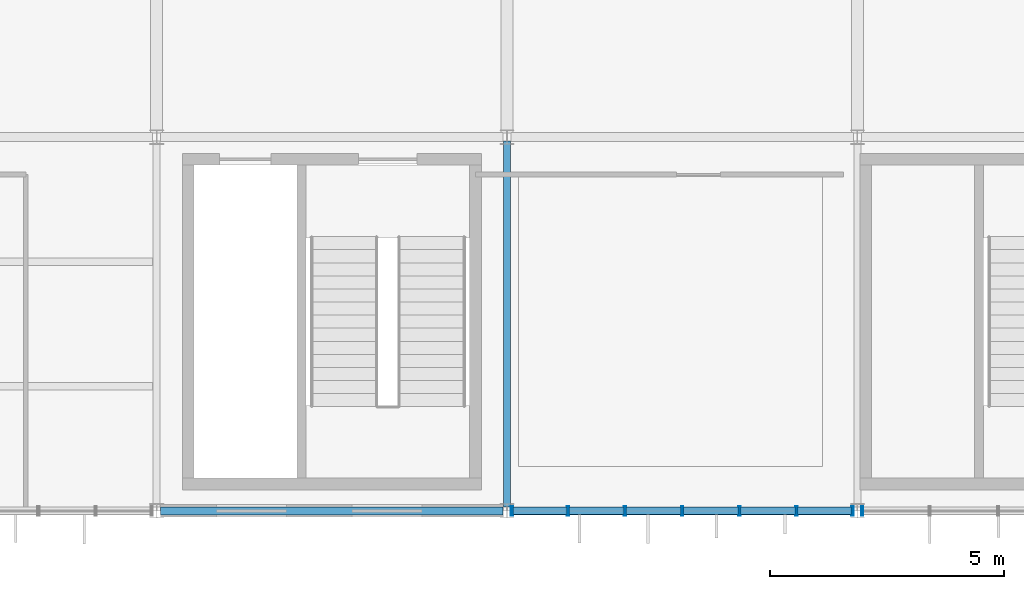
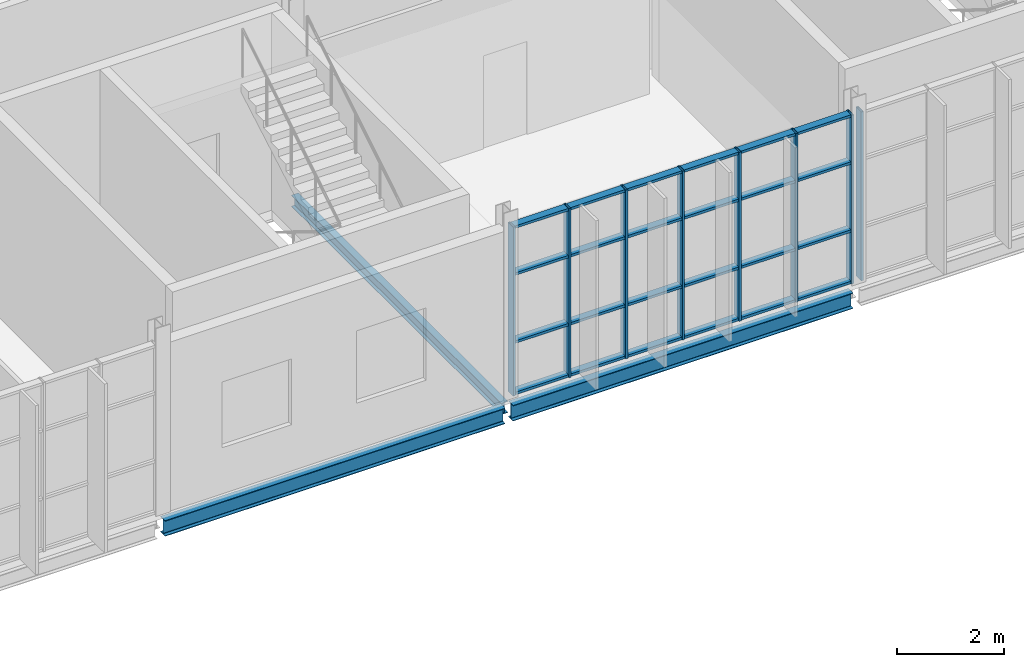
# One storey, part 57 of 324: 32 members, 3 beams, 2 elements without a shape of their own.
"""IFC4 building model written with IfcOpenShell, lengths in metres."""

import ifcopenshell
import ifcopenshell.guid

model = None  # the IFC model being written
_history = None  # IfcOwnerHistory: only IFC2X3 demands one
_inside = {}  # id of a spatial element -> (the spatial element, [elements in it])
_under = {}  # id of a project, library or spatial element -> (it, [spatial elements below it])
_declared = {}  # id of a project -> (the project, [libraries it declares])
_typed = {}  # id of a type object -> (the type object, [elements of that type])
_made_of = {}  # id of a material, layer set ... -> (it, [elements and type objects made of it])


def new_model(schema):
    """Start an empty IFC model of exactly this schema.

    Asked for "IFC4X3", IfcOpenShell would pick the latest addendum, in which some entities
    have other attributes; the version numbers below select the first issue.
    IFC2X3 requires an IfcOwnerHistory on every rooted entity: one is made here for all.
    """
    global model, _history
    if schema == "IFC4X3":
        model = ifcopenshell.file(schema_version=(4, 3, 0, 0))
    else:
        model = ifcopenshell.file(schema=schema)
    _inside.clear()
    _under.clear()
    _declared.clear()
    _typed.clear()
    _made_of.clear()
    _history = None
    if model.schema == "IFC2X3":
        org = make("IfcOrganization", Name="unknown")
        user = make(
            "IfcPersonAndOrganization",
            ThePerson=make("IfcPerson", FamilyName="unknown"),
            TheOrganization=org,
        )
        app = make(
            "IfcApplication",
            ApplicationDeveloper=org,
            Version="unknown",
            ApplicationFullName="unknown",
            ApplicationIdentifier="unknown",
        )
        _history = make(
            "IfcOwnerHistory",
            OwningUser=user,
            OwningApplication=app,
            ChangeAction="ADDED",
            CreationDate=0,
        )
    return model


def make(cls, **values):
    """One entity of the class cls with the attributes given. An attribute that is None is left unset."""
    return model.create_entity(
        cls, **{name: value for name, value in values.items() if value is not None}
    )


def rooted(cls, **values):
    """An entity with a GlobalId (a new one), such as an element, a storey or a relation."""
    return make(cls, GlobalId=ifcopenshell.guid.new(), OwnerHistory=_history, **values)


def si_unit(unit_type, name, prefix=None):
    """IfcSIUnit, for example si_unit("LENGTHUNIT", "METRE", prefix="MILLI")."""
    return make("IfcSIUnit", UnitType=unit_type, Prefix=prefix, Name=name)


def assignment(units):
    """IfcUnitAssignment: the units of a project."""
    return None if units is None else make("IfcUnitAssignment", Units=units)


def point(xyz):
    """IfcCartesianPoint."""
    return None if xyz is None else make("IfcCartesianPoint", Coordinates=xyz)


def direction(xyz):
    """IfcDirection."""
    return None if xyz is None else make("IfcDirection", DirectionRatios=xyz)


def frame(location, z_axis=None, x_axis=None):
    """IfcAxis2Placement3D, a coordinate frame: its origin and axes. An axis left out is left unset."""
    return make(
        "IfcAxis2Placement3D",
        Location=point(location),
        Axis=direction(z_axis),
        RefDirection=direction(x_axis),
    )


def frame_2d(location, x_axis=None):
    """IfcAxis2Placement2D, a coordinate frame in the plane: its origin and x axis."""
    return make(
        "IfcAxis2Placement2D", Location=point(location), RefDirection=direction(x_axis)
    )


def origin():
    """The frame at (0, 0, 0) with its axes left unset."""
    return frame((0.0, 0.0, 0.0))


def origin_2d():
    """The frame at (0, 0) in the plane with its x axis left unset."""
    return frame_2d((0.0, 0.0))


def place(relative_to, where):
    """IfcLocalPlacement: puts the frame where relative to a parent placement (None: the world)."""
    return make(
        "IfcLocalPlacement", PlacementRelTo=relative_to, RelativePlacement=where
    )


def context(
    kind, dimensions, precision=None, world=None, true_north=None, identifier=None
):
    """IfcGeometricRepresentationContext, for example the 3D "Model" context."""
    return make(
        "IfcGeometricRepresentationContext",
        ContextIdentifier=identifier,
        ContextType=kind,
        CoordinateSpaceDimension=dimensions,
        Precision=precision,
        WorldCoordinateSystem=world,
        TrueNorth=true_north,
    )


def subcontext(parent, identifier, kind, view, scale=None):
    """IfcGeometricRepresentationSubContext, for example "Body" below "Model"."""
    return make(
        "IfcGeometricRepresentationSubContext",
        ContextIdentifier=identifier,
        ContextType=kind,
        ParentContext=parent,
        TargetScale=scale,
        TargetView=view,
    )


def project(units=None, contexts=None):
    """IfcProject with its units and contexts."""
    return rooted(
        "IfcProject",
        Name="project",
        RepresentationContexts=contexts,
        UnitsInContext=assignment(units),
    )


def spatial(cls, under=None, at=None, **own):
    """A site, building, storey or space (cls), placed at a placement, below another one or the project."""
    s = rooted(cls, ObjectPlacement=at, **own)
    if under is not None:
        _under.setdefault(under.id(), (under, []))[1].append(s)
    return s


def profile(cls, at=None, kind="AREA", **sizes):
    """A parametric profile (cls). Its sizes go by their IFC names, for example OverallWidth=200.0."""
    return make(cls, ProfileType=kind, Position=at, **sizes)


def hollow_rectangle(**sizes):
    """IfcRectangleHollowProfileDef."""
    return profile("IfcRectangleHollowProfileDef", **sizes)


def i_section(**sizes):
    """IfcIShapeProfileDef."""
    return profile("IfcIShapeProfileDef", **sizes)


def extrude(swept, where, along, depth):
    """IfcExtrudedAreaSolid: the profile swept, set in the frame where, extruded along a direction by depth."""
    return make(
        "IfcExtrudedAreaSolid",
        SweptArea=swept,
        Position=where,
        ExtrudedDirection=direction(along),
        Depth=depth,
    )


def shape(context_of_items, identifier, shape_type, items):
    """IfcShapeRepresentation: the items that make up one representation, for example the "Body"."""
    return make(
        "IfcShapeRepresentation",
        ContextOfItems=context_of_items,
        RepresentationIdentifier=identifier,
        RepresentationType=shape_type,
        Items=items,
    )


def material(Name=None, Category=None):
    """IfcMaterial."""
    return make("IfcMaterial", Name=Name, Category=Category)


def layer(
    of_material, thickness, ventilated=None, Name=None, Category=None, Priority=None
):
    """IfcMaterialLayer: one layer of a wall or slab, of a material (None: an air gap)."""
    return make(
        "IfcMaterialLayer",
        Material=of_material,
        LayerThickness=thickness,
        IsVentilated=ventilated,
        Name=Name,
        Category=Category,
        Priority=Priority,
    )


def layer_set(layers, Name=None):
    """IfcMaterialLayerSet."""
    return make("IfcMaterialLayerSet", MaterialLayers=layers, LayerSetName=Name)


def material_profile(
    of_material, cross_section, Name=None, Category=None, Priority=None
):
    """IfcMaterialProfile: a cross section and its material."""
    return make(
        "IfcMaterialProfile",
        Name=Name,
        Material=of_material,
        Profile=cross_section,
        Priority=Priority,
        Category=Category,
    )


def profile_set(profiles, Name=None, composite=None):
    """IfcMaterialProfileSet."""
    return make(
        "IfcMaterialProfileSet",
        Name=Name,
        MaterialProfiles=profiles,
        CompositeProfile=composite,
    )


def made_of(thing, what):
    """Note that an element or type object is made of a material, layer set ...; save() writes the relation."""
    if what is not None:
        _made_of.setdefault(what.id(), (what, []))[1].append(thing)
    return thing


def type_object(cls, material=None, **own):
    """A type object (cls), such as IfcWallType, which elements share."""
    return made_of(rooted(cls, **own), material)


def element(
    cls,
    number,
    at=None,
    inside=None,
    cuts=None,
    type_object=None,
    material=None,
    context=None,
    identifier="Body",
    shape_type=None,
    held_by="IfcProductDefinitionShape",
    body=None,
    shapes=None,
    **own,
):
    """One element of the class cls, such as IfcWall. Its Tag is "e" and its number.

    at: its placement. inside: the storey or other place that contains it. cuts: it is an
    opening in that element (IfcRelVoidsElement). A single representation is given by context,
    identifier, shape_type and body (its items); several are given by shapes. held_by: the class
    of the entity that holds the representations. save() writes the other relations.
    """
    e = rooted(cls, Tag="e%d" % number, ObjectPlacement=at, **own)
    if body is not None:
        shapes = [shape(context, identifier, shape_type, body)]
    if shapes is not None:
        e.Representation = make(held_by, Representations=shapes)
    if inside is not None:
        _inside.setdefault(inside.id(), (inside, []))[1].append(e)
    if cuts is not None:
        rooted(
            "IfcRelVoidsElement", RelatingBuildingElement=cuts, RelatedOpeningElement=e
        )
    if type_object is not None:
        _typed.setdefault(type_object.id(), (type_object, []))[1].append(e)
    return made_of(e, material)


def aggregate(whole, parts):
    """IfcRelAggregates: a whole, such as a stair, and the parts it consists of."""
    return rooted("IfcRelAggregates", RelatingObject=whole, RelatedObjects=parts)


def save(model, path):
    """Write the relations noted so far, then the file.

    IfcRelAggregates (storeys below a building ...), IfcRelContainedInSpatialStructure (elements
    in a storey), IfcRelDefinesByType, IfcRelAssociatesMaterial and IfcRelDeclares: one each for
    every whole, place, type object, material and project.
    """
    for whole, parts in _under.values():
        aggregate(whole, parts)
    for where, things in _inside.values():
        rooted(
            "IfcRelContainedInSpatialStructure",
            RelatedElements=things,
            RelatingStructure=where,
        )
    for kind, things in _typed.values():
        rooted("IfcRelDefinesByType", RelatedObjects=things, RelatingType=kind)
    for what, things in _made_of.values():
        rooted("IfcRelAssociatesMaterial", RelatedObjects=things, RelatingMaterial=what)
    for by, libraries in _declared.values():
        rooted("IfcRelDeclares", RelatingContext=by, RelatedDefinitions=libraries)
    model.write(path)


model = new_model("IFC4")

# Units and contexts
model_context = context("Model", 3, precision=1e-05, world=origin(), true_north=direction((0.0, 1.0)))
body_context = subcontext(model_context, "Body", "Model", "MODEL_VIEW")
ifc_project = project(units=[si_unit("LENGTHUNIT", "METRE"), si_unit("AREAUNIT", "SQUARE_METRE"), si_unit("VOLUMEUNIT", "CUBIC_METRE"), si_unit("PLANEANGLEUNIT", "RADIAN"), si_unit("MASSUNIT", "GRAM", prefix="KILO")], contexts=[model_context])

# Site, building, storey
site_placement = place(None, origin())
site = spatial("IfcSite", under=ifc_project, at=site_placement, CompositionType="ELEMENT")
building_placement = place(site_placement, origin())
building = spatial("IfcBuilding", under=site, at=building_placement, Name="Solvenia Promenade Tram Depot", CompositionType="ELEMENT")
storey_placement = place(building_placement, frame((0.0, 0.0, 4.5)))
storey = spatial("IfcBuildingStorey", under=building, at=storey_placement, Name="L01", CompositionType="ELEMENT", Elevation=4.5)

# Curtain wall, members
ifc_material_1 = material(Name="Anodized aluminium AW-6063 T6", Category="aluminium")
ifc_layer_1 = layer(ifc_material_1, 0.179931640625, Name="Anodized aluminium AW-6063 T6", Category="aluminium")
ifc_layer_set_1 = layer_set([ifc_layer_1], Name="Anodized aluminium AW-6063 T6")
curtain_wall_type_1 = type_object("IfcCurtainWallType", Name="CW-Solar-1250", PredefinedType="NOTDEFINED", material=ifc_layer_set_1)
curtain_wall_1_placement = place(storey_placement, origin())
curtain_wall_1 = element("IfcCurtainWall", 1, at=curtain_wall_1_placement, inside=storey, type_object=curtain_wall_type_1, Name="Curtain Wall CW-V4S-L01-09", PredefinedType="NOTDEFINED")
ifc_material_profile_1 = material_profile(ifc_material_1, hollow_rectangle(XDim=0.199951171875, YDim=0.048095703125, WallThickness=0.00390625, at=origin_2d()), Name="ALU-M3", Category="aluminium")
ifc_profile_set_1 = profile_set([ifc_material_profile_1], Name="Anodized aluminium AW-6063 T6")
member_type_1 = type_object("IfcMemberType", Name="CWM-Mullion-3", PredefinedType="MULLION", material=ifc_profile_set_1)
member_1_placement = place(storey_placement, frame((67.60400390625, 0.0, 0.0), z_axis=(0.0, 0.0, 1.0), x_axis=(0.0, 1.0, 0.0)))
member_1 = element("IfcMember", 2, at=member_1_placement, type_object=member_type_1, Name="CW-6 mullion 1", PredefinedType="MULLION", context=body_context, shape_type="SweptSolid", body=[
    extrude(hollow_rectangle(XDim=0.199951171875, YDim=0.048095703125, WallThickness=0.00390625, at=origin_2d()), origin(), (0.0, 0.0, 1.0), 3.85009765625),
])
member_2_placement = place(storey_placement, frame((68.80322265625, 0.0, 0.0), z_axis=(0.0, 0.0, 1.0), x_axis=(0.0, 1.0, 0.0)))
member_2 = element("IfcMember", 3, at=member_2_placement, type_object=member_type_1, Name="CW-6 mullion 2", PredefinedType="MULLION", context=body_context, shape_type="SweptSolid", body=[
    extrude(hollow_rectangle(XDim=0.199951171875, YDim=0.048095703125, WallThickness=0.00390625, at=origin_2d()), origin(), (0.0, 0.0, 1.0), 3.85009765625),
])
member_3_placement = place(storey_placement, frame((70.026611328125, 0.0, 0.0), z_axis=(0.0, 0.0, 1.0), x_axis=(0.0, 1.0, 0.0)))
member_3 = element("IfcMember", 4, at=member_3_placement, type_object=member_type_1, Name="CW-6 mullion 3", PredefinedType="MULLION", context=body_context, shape_type="SweptSolid", body=[
    extrude(hollow_rectangle(XDim=0.199951171875, YDim=0.048095703125, WallThickness=0.00390625, at=origin_2d()), origin(), (0.0, 0.0, 1.0), 3.85009765625),
])
member_4_placement = place(storey_placement, frame((71.25, 0.0, 0.0), z_axis=(0.0, 0.0, 1.0), x_axis=(0.0, 1.0, 0.0)))
member_4 = element("IfcMember", 5, at=member_4_placement, type_object=member_type_1, Name="CW-6 mullion 4", PredefinedType="MULLION", context=body_context, shape_type="SweptSolid", body=[
    extrude(hollow_rectangle(XDim=0.199951171875, YDim=0.048095703125, WallThickness=0.00390625, at=origin_2d()), origin(), (0.0, 0.0, 1.0), 3.85009765625),
])
member_5_placement = place(storey_placement, frame((72.473388671875, 0.0, 0.0), z_axis=(0.0, 0.0, 1.0), x_axis=(0.0, 1.0, 0.0)))
member_5 = element("IfcMember", 6, at=member_5_placement, type_object=member_type_1, Name="CW-6 mullion 5", PredefinedType="MULLION", context=body_context, shape_type="SweptSolid", body=[
    extrude(hollow_rectangle(XDim=0.199951171875, YDim=0.048095703125, WallThickness=0.00390625, at=origin_2d()), origin(), (0.0, 0.0, 1.0), 3.85009765625),
])
member_6_placement = place(storey_placement, frame((73.69677734375, 0.0, 0.0), z_axis=(0.0, 0.0, 1.0), x_axis=(0.0, 1.0, 0.0)))
member_6 = element("IfcMember", 7, at=member_6_placement, type_object=member_type_1, Name="CW-6 mullion 6", PredefinedType="MULLION", context=body_context, shape_type="SweptSolid", body=[
    extrude(hollow_rectangle(XDim=0.199951171875, YDim=0.048095703125, WallThickness=0.00390625, at=origin_2d()), origin(), (0.0, 0.0, 1.0), 3.85009765625),
])
member_7_placement = place(storey_placement, frame((74.89599609375, 0.0, 0.0), z_axis=(0.0, 0.0, 1.0), x_axis=(0.0, 1.0, 0.0)))
member_7 = element("IfcMember", 8, at=member_7_placement, type_object=member_type_1, Name="CW-6 mullion 7", PredefinedType="MULLION", context=body_context, shape_type="SweptSolid", body=[
    extrude(hollow_rectangle(XDim=0.199951171875, YDim=0.048095703125, WallThickness=0.00390625, at=origin_2d()), origin(), (0.0, 0.0, 1.0), 3.85009765625),
])

# Curtain wall, member
ifc_layer_2 = layer(ifc_material_1, 0.179931640625, Name="Anodized aluminium AW-6063 T6", Category="aluminium")
ifc_layer_set_2 = layer_set([ifc_layer_2], Name="Anodized aluminium AW-6063 T6")
curtain_wall_type_2 = type_object("IfcCurtainWallType", Name="CW-Solar-1500", PredefinedType="NOTDEFINED", material=ifc_layer_set_2)
curtain_wall_2_placement = place(storey_placement, origin())
curtain_wall_2 = element("IfcCurtainWall", 9, at=curtain_wall_2_placement, inside=storey, type_object=curtain_wall_type_2, Name="Curtain Wall CW-V4S-L01-10", PredefinedType="NOTDEFINED")
member_8_placement = place(storey_placement, frame((75.10400390625, 0.0, 0.0), z_axis=(0.0, 0.0, 1.0), x_axis=(0.0, 1.0, 0.0)))
member_8 = element("IfcMember", 10, at=member_8_placement, type_object=member_type_1, Name="CW-7 mullion 1", PredefinedType="MULLION", context=body_context, shape_type="SweptSolid", body=[
    extrude(hollow_rectangle(XDim=0.199951171875, YDim=0.048095703125, WallThickness=0.00390625, at=origin_2d()), origin(), (0.0, 0.0, 1.0), 3.85009765625),
])
aggregate(curtain_wall_2, [member_8])

# Member
ifc_material_profile_2 = material_profile(ifc_material_1, hollow_rectangle(XDim=0.159912109375, YDim=0.05810546875, WallThickness=0.00390625, at=origin_2d()), Name="ALU-T3", Category="aluminium")
ifc_profile_set_2 = profile_set([ifc_material_profile_2], Name="Anodized aluminium AW-6063 T6")
member_type_2 = type_object("IfcMemberType", Name="CWT-Transom-3", PredefinedType="USERDEFINED", material=ifc_profile_set_2)
member_9_placement = place(storey_placement, frame((67.6279296875, 0.0, 0.029052734375), z_axis=(1.0, 0.0, 0.0), x_axis=(0.0, 1.0, 0.0)))
member_9 = element("IfcMember", 11, at=member_9_placement, type_object=member_type_2, Name="CW-6 transom 1.1", ObjectType="TRANSOM", PredefinedType="USERDEFINED", context=body_context, shape_type="SweptSolid", body=[
    extrude(hollow_rectangle(XDim=0.159912109375, YDim=0.05810546875, WallThickness=0.00390625, at=origin_2d()), origin(), (0.0, 0.0, 1.0), 1.1513671875),
])

member_10_placement = place(storey_placement, frame((67.6279296875, 0.0, 1.199951171875), z_axis=(1.0, 0.0, 0.0), x_axis=(0.0, 1.0, 0.0)))
member_10 = element("IfcMember", 12, at=member_10_placement, type_object=member_type_2, Name="CW-6 transom 1.2", ObjectType="TRANSOM", PredefinedType="USERDEFINED", context=body_context, shape_type="SweptSolid", body=[
    extrude(hollow_rectangle(XDim=0.159912109375, YDim=0.05810546875, WallThickness=0.00390625, at=origin_2d()), origin(), (0.0, 0.0, 1.0), 1.1513671875),
])

member_11_placement = place(storey_placement, frame((67.6279296875, 0.0, 2.75), z_axis=(1.0, 0.0, 0.0), x_axis=(0.0, 1.0, 0.0)))
member_11 = element("IfcMember", 13, at=member_11_placement, type_object=member_type_2, Name="CW-6 transom 1.3", ObjectType="TRANSOM", PredefinedType="USERDEFINED", context=body_context, shape_type="SweptSolid", body=[
    extrude(hollow_rectangle(XDim=0.159912109375, YDim=0.05810546875, WallThickness=0.00390625, at=origin_2d()), origin(), (0.0, 0.0, 1.0), 1.1513671875),
])

member_12_placement = place(storey_placement, frame((67.6279296875, 0.0, 3.821044921875), z_axis=(1.0, 0.0, 0.0), x_axis=(0.0, 1.0, 0.0)))
member_12 = element("IfcMember", 14, at=member_12_placement, type_object=member_type_2, Name="CW-6 transom 1.4", ObjectType="TRANSOM", PredefinedType="USERDEFINED", context=body_context, shape_type="SweptSolid", body=[
    extrude(hollow_rectangle(XDim=0.159912109375, YDim=0.05810546875, WallThickness=0.00390625, at=origin_2d()), origin(), (0.0, 0.0, 1.0), 1.1513671875),
])

member_13_placement = place(storey_placement, frame((68.827392578125, 0.0, 0.029052734375), z_axis=(1.0, 0.0, 0.0), x_axis=(0.0, 1.0, 0.0)))
member_13 = element("IfcMember", 15, at=member_13_placement, type_object=member_type_2, Name="CW-6 transom 2.1", ObjectType="TRANSOM", PredefinedType="USERDEFINED", context=body_context, shape_type="SweptSolid", body=[
    extrude(hollow_rectangle(XDim=0.159912109375, YDim=0.05810546875, WallThickness=0.00390625, at=origin_2d()), origin(), (0.0, 0.0, 1.0), 1.17529296875),
])

member_14_placement = place(storey_placement, frame((68.827392578125, 0.0, 1.199951171875), z_axis=(1.0, 0.0, 0.0), x_axis=(0.0, 1.0, 0.0)))
member_14 = element("IfcMember", 16, at=member_14_placement, type_object=member_type_2, Name="CW-6 transom 2.2", ObjectType="TRANSOM", PredefinedType="USERDEFINED", context=body_context, shape_type="SweptSolid", body=[
    extrude(hollow_rectangle(XDim=0.159912109375, YDim=0.05810546875, WallThickness=0.00390625, at=origin_2d()), origin(), (0.0, 0.0, 1.0), 1.17529296875),
])

member_15_placement = place(storey_placement, frame((68.827392578125, 0.0, 2.75), z_axis=(1.0, 0.0, 0.0), x_axis=(0.0, 1.0, 0.0)))
member_15 = element("IfcMember", 17, at=member_15_placement, type_object=member_type_2, Name="CW-6 transom 2.3", ObjectType="TRANSOM", PredefinedType="USERDEFINED", context=body_context, shape_type="SweptSolid", body=[
    extrude(hollow_rectangle(XDim=0.159912109375, YDim=0.05810546875, WallThickness=0.00390625, at=origin_2d()), origin(), (0.0, 0.0, 1.0), 1.17529296875),
])

member_16_placement = place(storey_placement, frame((68.827392578125, 0.0, 3.821044921875), z_axis=(1.0, 0.0, 0.0), x_axis=(0.0, 1.0, 0.0)))
member_16 = element("IfcMember", 18, at=member_16_placement, type_object=member_type_2, Name="CW-6 transom 2.4", ObjectType="TRANSOM", PredefinedType="USERDEFINED", context=body_context, shape_type="SweptSolid", body=[
    extrude(hollow_rectangle(XDim=0.159912109375, YDim=0.05810546875, WallThickness=0.00390625, at=origin_2d()), origin(), (0.0, 0.0, 1.0), 1.17529296875),
])

member_17_placement = place(storey_placement, frame((70.05078125, 0.0, 0.029052734375), z_axis=(1.0, 0.0, 0.0), x_axis=(0.0, 1.0, 0.0)))
member_17 = element("IfcMember", 19, at=member_17_placement, type_object=member_type_2, Name="CW-6 transom 3.1", ObjectType="TRANSOM", PredefinedType="USERDEFINED", context=body_context, shape_type="SweptSolid", body=[
    extrude(hollow_rectangle(XDim=0.159912109375, YDim=0.05810546875, WallThickness=0.00390625, at=origin_2d()), origin(), (0.0, 0.0, 1.0), 1.17529296875),
])

member_18_placement = place(storey_placement, frame((70.05078125, 0.0, 1.199951171875), z_axis=(1.0, 0.0, 0.0), x_axis=(0.0, 1.0, 0.0)))
member_18 = element("IfcMember", 20, at=member_18_placement, type_object=member_type_2, Name="CW-6 transom 3.2", ObjectType="TRANSOM", PredefinedType="USERDEFINED", context=body_context, shape_type="SweptSolid", body=[
    extrude(hollow_rectangle(XDim=0.159912109375, YDim=0.05810546875, WallThickness=0.00390625, at=origin_2d()), origin(), (0.0, 0.0, 1.0), 1.17529296875),
])

member_19_placement = place(storey_placement, frame((70.05078125, 0.0, 2.75), z_axis=(1.0, 0.0, 0.0), x_axis=(0.0, 1.0, 0.0)))
member_19 = element("IfcMember", 21, at=member_19_placement, type_object=member_type_2, Name="CW-6 transom 3.3", ObjectType="TRANSOM", PredefinedType="USERDEFINED", context=body_context, shape_type="SweptSolid", body=[
    extrude(hollow_rectangle(XDim=0.159912109375, YDim=0.05810546875, WallThickness=0.00390625, at=origin_2d()), origin(), (0.0, 0.0, 1.0), 1.17529296875),
])

member_20_placement = place(storey_placement, frame((70.05078125, 0.0, 3.821044921875), z_axis=(1.0, 0.0, 0.0), x_axis=(0.0, 1.0, 0.0)))
member_20 = element("IfcMember", 22, at=member_20_placement, type_object=member_type_2, Name="CW-6 transom 3.4", ObjectType="TRANSOM", PredefinedType="USERDEFINED", context=body_context, shape_type="SweptSolid", body=[
    extrude(hollow_rectangle(XDim=0.159912109375, YDim=0.05810546875, WallThickness=0.00390625, at=origin_2d()), origin(), (0.0, 0.0, 1.0), 1.17529296875),
])

member_21_placement = place(storey_placement, frame((71.27392578125, 0.0, 0.029052734375), z_axis=(1.0, 0.0, 0.0), x_axis=(0.0, 1.0, 0.0)))
member_21 = element("IfcMember", 23, at=member_21_placement, type_object=member_type_2, Name="CW-6 transom 4.1", ObjectType="TRANSOM", PredefinedType="USERDEFINED", context=body_context, shape_type="SweptSolid", body=[
    extrude(hollow_rectangle(XDim=0.159912109375, YDim=0.05810546875, WallThickness=0.00390625, at=origin_2d()), origin(), (0.0, 0.0, 1.0), 1.17529296875),
])

member_22_placement = place(storey_placement, frame((71.27392578125, 0.0, 1.199951171875), z_axis=(1.0, 0.0, 0.0), x_axis=(0.0, 1.0, 0.0)))
member_22 = element("IfcMember", 24, at=member_22_placement, type_object=member_type_2, Name="CW-6 transom 4.2", ObjectType="TRANSOM", PredefinedType="USERDEFINED", context=body_context, shape_type="SweptSolid", body=[
    extrude(hollow_rectangle(XDim=0.159912109375, YDim=0.05810546875, WallThickness=0.00390625, at=origin_2d()), origin(), (0.0, 0.0, 1.0), 1.17529296875),
])

member_23_placement = place(storey_placement, frame((71.27392578125, 0.0, 2.75), z_axis=(1.0, 0.0, 0.0), x_axis=(0.0, 1.0, 0.0)))
member_23 = element("IfcMember", 25, at=member_23_placement, type_object=member_type_2, Name="CW-6 transom 4.3", ObjectType="TRANSOM", PredefinedType="USERDEFINED", context=body_context, shape_type="SweptSolid", body=[
    extrude(hollow_rectangle(XDim=0.159912109375, YDim=0.05810546875, WallThickness=0.00390625, at=origin_2d()), origin(), (0.0, 0.0, 1.0), 1.17529296875),
])

member_24_placement = place(storey_placement, frame((71.27392578125, 0.0, 3.821044921875), z_axis=(1.0, 0.0, 0.0), x_axis=(0.0, 1.0, 0.0)))
member_24 = element("IfcMember", 26, at=member_24_placement, type_object=member_type_2, Name="CW-6 transom 4.4", ObjectType="TRANSOM", PredefinedType="USERDEFINED", context=body_context, shape_type="SweptSolid", body=[
    extrude(hollow_rectangle(XDim=0.159912109375, YDim=0.05810546875, WallThickness=0.00390625, at=origin_2d()), origin(), (0.0, 0.0, 1.0), 1.17529296875),
])

member_25_placement = place(storey_placement, frame((72.497314453125, 0.0, 0.029052734375), z_axis=(1.0, 0.0, 0.0), x_axis=(0.0, 1.0, 0.0)))
member_25 = element("IfcMember", 27, at=member_25_placement, type_object=member_type_2, Name="CW-6 transom 5.1", ObjectType="TRANSOM", PredefinedType="USERDEFINED", context=body_context, shape_type="SweptSolid", body=[
    extrude(hollow_rectangle(XDim=0.159912109375, YDim=0.05810546875, WallThickness=0.00390625, at=origin_2d()), origin(), (0.0, 0.0, 1.0), 1.17529296875),
])

member_26_placement = place(storey_placement, frame((72.497314453125, 0.0, 1.199951171875), z_axis=(1.0, 0.0, 0.0), x_axis=(0.0, 1.0, 0.0)))
member_26 = element("IfcMember", 28, at=member_26_placement, type_object=member_type_2, Name="CW-6 transom 5.2", ObjectType="TRANSOM", PredefinedType="USERDEFINED", context=body_context, shape_type="SweptSolid", body=[
    extrude(hollow_rectangle(XDim=0.159912109375, YDim=0.05810546875, WallThickness=0.00390625, at=origin_2d()), origin(), (0.0, 0.0, 1.0), 1.17529296875),
])

member_27_placement = place(storey_placement, frame((72.497314453125, 0.0, 2.75), z_axis=(1.0, 0.0, 0.0), x_axis=(0.0, 1.0, 0.0)))
member_27 = element("IfcMember", 29, at=member_27_placement, type_object=member_type_2, Name="CW-6 transom 5.3", ObjectType="TRANSOM", PredefinedType="USERDEFINED", context=body_context, shape_type="SweptSolid", body=[
    extrude(hollow_rectangle(XDim=0.159912109375, YDim=0.05810546875, WallThickness=0.00390625, at=origin_2d()), origin(), (0.0, 0.0, 1.0), 1.17529296875),
])

member_28_placement = place(storey_placement, frame((72.497314453125, 0.0, 3.821044921875), z_axis=(1.0, 0.0, 0.0), x_axis=(0.0, 1.0, 0.0)))
member_28 = element("IfcMember", 30, at=member_28_placement, type_object=member_type_2, Name="CW-6 transom 5.4", ObjectType="TRANSOM", PredefinedType="USERDEFINED", context=body_context, shape_type="SweptSolid", body=[
    extrude(hollow_rectangle(XDim=0.159912109375, YDim=0.05810546875, WallThickness=0.00390625, at=origin_2d()), origin(), (0.0, 0.0, 1.0), 1.17529296875),
])

member_29_placement = place(storey_placement, frame((73.720703125, 0.0, 0.029052734375), z_axis=(1.0, 0.0, 0.0), x_axis=(0.0, 1.0, 0.0)))
member_29 = element("IfcMember", 31, at=member_29_placement, type_object=member_type_2, Name="CW-6 transom 6.1", ObjectType="TRANSOM", PredefinedType="USERDEFINED", context=body_context, shape_type="SweptSolid", body=[
    extrude(hollow_rectangle(XDim=0.159912109375, YDim=0.05810546875, WallThickness=0.00390625, at=origin_2d()), origin(), (0.0, 0.0, 1.0), 1.1513671875),
])

member_30_placement = place(storey_placement, frame((73.720703125, 0.0, 1.199951171875), z_axis=(1.0, 0.0, 0.0), x_axis=(0.0, 1.0, 0.0)))
member_30 = element("IfcMember", 32, at=member_30_placement, type_object=member_type_2, Name="CW-6 transom 6.2", ObjectType="TRANSOM", PredefinedType="USERDEFINED", context=body_context, shape_type="SweptSolid", body=[
    extrude(hollow_rectangle(XDim=0.159912109375, YDim=0.05810546875, WallThickness=0.00390625, at=origin_2d()), origin(), (0.0, 0.0, 1.0), 1.1513671875),
])

member_31_placement = place(storey_placement, frame((73.720703125, 0.0, 2.75), z_axis=(1.0, 0.0, 0.0), x_axis=(0.0, 1.0, 0.0)))
member_31 = element("IfcMember", 33, at=member_31_placement, type_object=member_type_2, Name="CW-6 transom 6.3", ObjectType="TRANSOM", PredefinedType="USERDEFINED", context=body_context, shape_type="SweptSolid", body=[
    extrude(hollow_rectangle(XDim=0.159912109375, YDim=0.05810546875, WallThickness=0.00390625, at=origin_2d()), origin(), (0.0, 0.0, 1.0), 1.1513671875),
])

member_32_placement = place(storey_placement, frame((73.720703125, 0.0, 3.821044921875), z_axis=(1.0, 0.0, 0.0), x_axis=(0.0, 1.0, 0.0)))
member_32 = element("IfcMember", 34, at=member_32_placement, type_object=member_type_2, Name="CW-6 transom 6.4", ObjectType="TRANSOM", PredefinedType="USERDEFINED", context=body_context, shape_type="SweptSolid", body=[
    extrude(hollow_rectangle(XDim=0.159912109375, YDim=0.05810546875, WallThickness=0.00390625, at=origin_2d()), origin(), (0.0, 0.0, 1.0), 1.1513671875),
])

aggregate(curtain_wall_1, [member_1, member_2, member_3, member_4, member_5, member_6, member_7, member_9, member_10, member_11, member_12, member_13, member_14, member_15, member_16, member_17, member_18, member_19, member_20, member_21, member_22, member_23, member_24, member_25, member_26, member_27, member_28, member_29, member_30, member_31, member_32])

# Beams
ifc_material_2 = material(Name="Structural steel ASTM A992 Gr. 50", Category="steel")
ifc_material_profile_3 = material_profile(ifc_material_2, i_section(OverallWidth=0.14697265625, OverallDepth=0.261962890625, WebThickness=0.006591796875, FlangeThickness=0.01123046875, FilletRadius=0.010009765625, at=origin_2d()), Name="W250x39", Category="steel")
ifc_profile_set_3 = profile_set([ifc_material_profile_3], Name="Structural steel ASTM A992 Gr. 50")
beam_type_1 = type_object("IfcBeamType", Name="Joist-W250x39", PredefinedType="JOIST", material=ifc_profile_set_3)
beam_placement = place(storey_placement, frame((67.5, 0.0849609375, -0.35107421875), z_axis=(0.0, 1.0, 0.0), x_axis=(-1.0, 0.0, 0.0)))
element("IfcBeam", 35, at=beam_placement, inside=storey, type_object=beam_type_1, Name="Transverse Girder BM-L01-0347", PredefinedType="JOIST", context=body_context, shape_type="SweptSolid", body=[
    extrude(i_section(OverallWidth=0.14697265625, OverallDepth=0.261962890625, WebThickness=0.006591796875, FlangeThickness=0.01123046875, FilletRadius=0.010009765625, at=origin_2d()), origin(), (0.0, 0.0, 1.0), 7.830078125),
])
ifc_material_profile_4 = material_profile(ifc_material_2, i_section(OverallWidth=0.172119140625, OverallDepth=0.35791015625, WebThickness=0.0078125, FlangeThickness=0.01318359375, FilletRadius=0.010986328125, at=origin_2d()), Name="W360x57", Category="steel")
ifc_profile_set_4 = profile_set([ifc_material_profile_4], Name="Structural steel ASTM A992 Gr. 50")
beam_type_2 = type_object("IfcBeamType", Name="Spandrel-W360x57", PredefinedType="SPANDREL", material=ifc_profile_set_4)
for number, where, z_axis, x_axis, name in (
    (36, (60.0849609375, 0.0, -0.39892578125), (1.0, 0.0, 0.0), (0.0, 1.0, 0.0), "Perimeter Spandrel BM-L01-0309"),
    (37, (67.5849609375, 0.0, -0.39892578125), (1.0, 0.0, 0.0), (0.0, 1.0, 0.0), "Perimeter Spandrel BM-L01-0310"),
):
    element("IfcBeam", number, at=place(storey_placement, frame(where, z_axis=z_axis, x_axis=x_axis)), inside=storey, type_object=beam_type_2, Name=name, PredefinedType="SPANDREL", context=body_context, shape_type="SweptSolid", body=[
        extrude(i_section(OverallWidth=0.172119140625, OverallDepth=0.35791015625, WebThickness=0.0078125, FlangeThickness=0.01318359375, FilletRadius=0.010986328125, at=origin_2d()), origin(), (0.0, 0.0, 1.0), 7.330078125),
    ])

save(model, "model.ifc")
